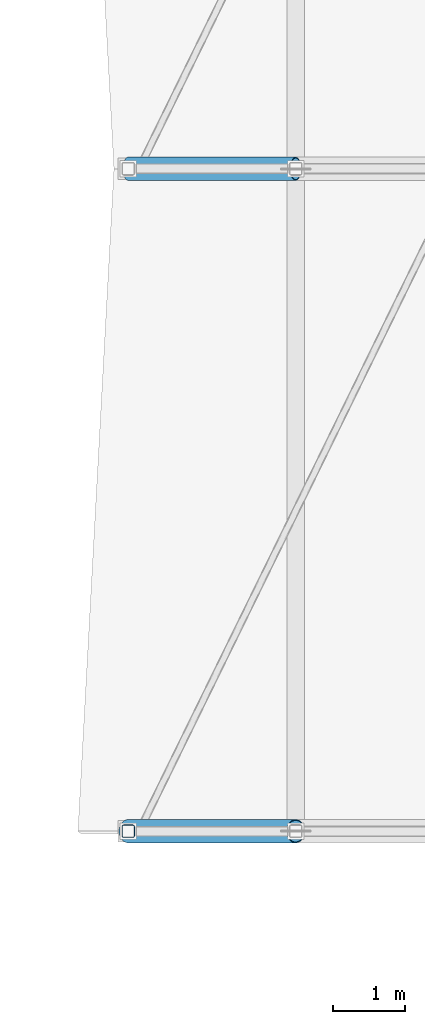
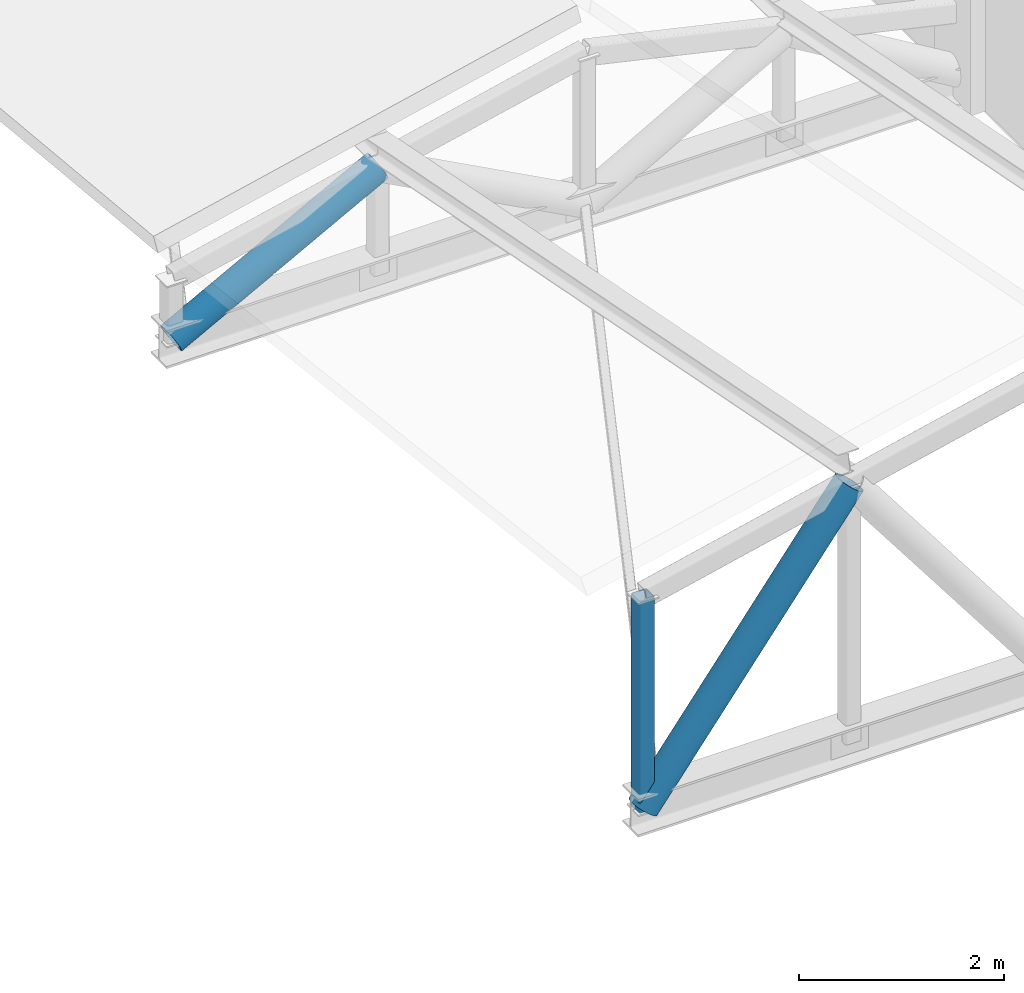
# One storey, part 36 of 90: 3 members.
"""IFC4 building model written with IfcOpenShell, lengths in metres."""

from ifc_helpers import new_model, si_unit, direction, frame, origin, origin_2d, place, context, subcontext, project, spatial, hollow_rectangle, hollow_circle, extrude, material, material_profile, profile_set, type_object, element, save


model = new_model("IFC4")

# Units and contexts
model_context = context("Model", 3, precision=1e-05, world=origin(), true_north=direction((0.0, 1.0)))
body_context = subcontext(model_context, "Body", "Model", "MODEL_VIEW")
ifc_project = project(units=[si_unit("LENGTHUNIT", "METRE"), si_unit("AREAUNIT", "SQUARE_METRE"), si_unit("VOLUMEUNIT", "CUBIC_METRE"), si_unit("PLANEANGLEUNIT", "RADIAN"), si_unit("MASSUNIT", "GRAM", prefix="KILO")], contexts=[model_context])

# Site, building, storey
site_placement = place(None, origin())
site = spatial("IfcSite", under=ifc_project, at=site_placement, CompositionType="ELEMENT")
building_placement = place(site_placement, origin())
building = spatial("IfcBuilding", under=site, at=building_placement, Name="Bozkorgan Art Gallery", CompositionType="ELEMENT")
storey_placement = place(building_placement, frame((0.0, 0.0, 5.39990234375)))
storey = spatial("IfcBuildingStorey", under=building, at=storey_placement, Name="L01", CompositionType="ELEMENT", Elevation=5.39990234375)

# Members
ifc_material = material(Name="Steel S355J2", Category="steel")
ifc_material_profile_1 = material_profile(ifc_material, hollow_rectangle(XDim=0.179931640625, YDim=0.179931640625, WallThickness=0.010009765625, InnerFilletRadius=0.014892578125, OuterFilletRadius=0.02490234375, at=origin_2d()), Name="SHS 180x180x10")
ifc_profile_set_1 = profile_set([ifc_material_profile_1], Name="Steel S355J2")
member_type_1 = type_object("IfcMemberType", Name="MEMBER-TP-98", PredefinedType="POST", material=ifc_profile_set_1)
member_1_placement = place(storey_placement, frame((127.85009765625, 66.0, 0.22509765625), z_axis=(0.0, 0.0, 1.0), x_axis=(1.0, 0.0, 0.0)))
element("IfcMember", 1, at=member_1_placement, inside=storey, type_object=member_type_1, Name="ROOF-V5-DOCK roof truss 1 post 0", PredefinedType="POST", context=body_context, shape_type="SweptSolid", body=[
    extrude(hollow_rectangle(XDim=0.179931640625, YDim=0.179931640625, WallThickness=0.010009765625, InnerFilletRadius=0.014892578125, OuterFilletRadius=0.02490234375, at=origin_2d()), origin(), (0.0, 0.0, 1.0), 2.52001953125),
])
ifc_material_profile_2 = material_profile(ifc_material, hollow_circle(Radius=0.161865234375, WallThickness=0.012451171875, at=origin_2d()), Name="CHS 323.9x12.5")
ifc_profile_set_2 = profile_set([ifc_material_profile_2], Name="Steel S355J2")
member_type_2 = type_object("IfcMemberType", Name="MEMBER-TW-97", PredefinedType="BRACE", material=ifc_profile_set_2)
member_2_placement = place(storey_placement, frame((127.85009765625, 66.0, 0.22509765625), z_axis=(0.606471013151, 0.0, 0.795105596891), x_axis=(0.0, 1.0, 0.0)))
element("IfcMember", 2, at=member_2_placement, inside=storey, type_object=member_type_2, Name="ROOF-V5-DOCK roof truss 1 diagonal 1", PredefinedType="BRACE", context=body_context, shape_type="SweptSolid", body=[
    extrude(hollow_circle(Radius=0.161865234375, WallThickness=0.012451171875, at=origin_2d()), origin(), (0.0, 0.0, 1.0), 3.83349609375),
])
member_3_placement = place(storey_placement, frame((127.85009765625, 75.199951171875, 0.22509765625), z_axis=(0.881772999271, 0.0, 0.471674016411), x_axis=(0.0, 1.0, 0.0)))
element("IfcMember", 3, at=member_3_placement, inside=storey, type_object=member_type_2, Name="ROOF-V5-DOCK roof truss 2 diagonal 1", PredefinedType="BRACE", context=body_context, shape_type="SweptSolid", body=[
    extrude(hollow_circle(Radius=0.161865234375, WallThickness=0.012451171875, at=origin_2d()), origin(), (0.0, 0.0, 1.0), 2.63671875),
])

save(model, "model.ifc")
